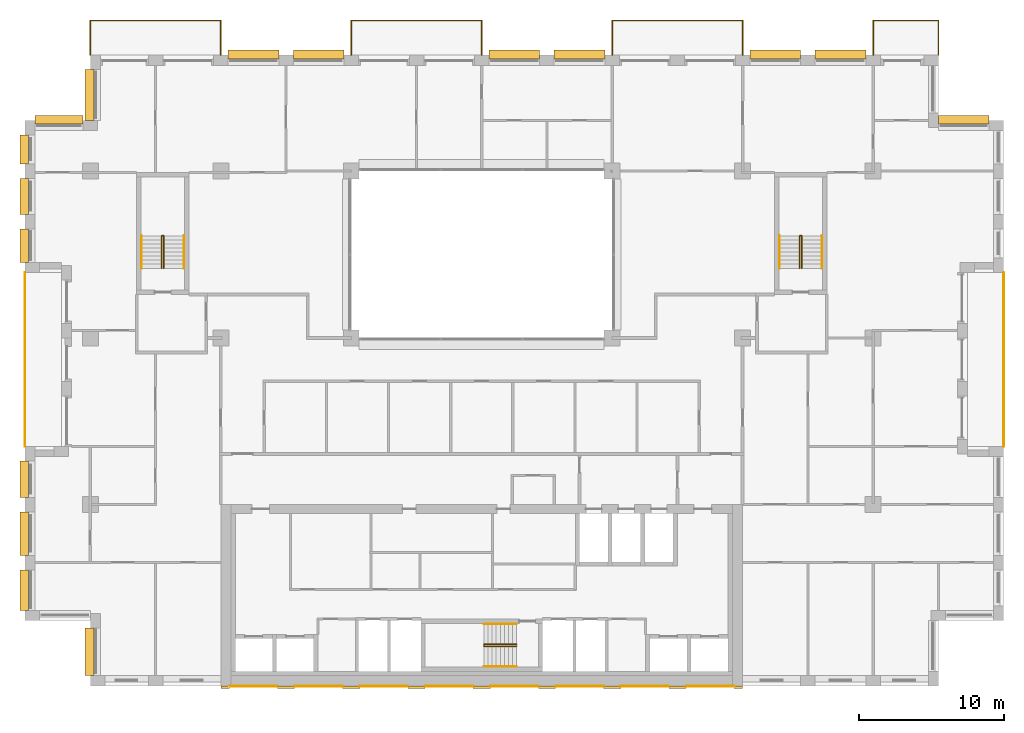
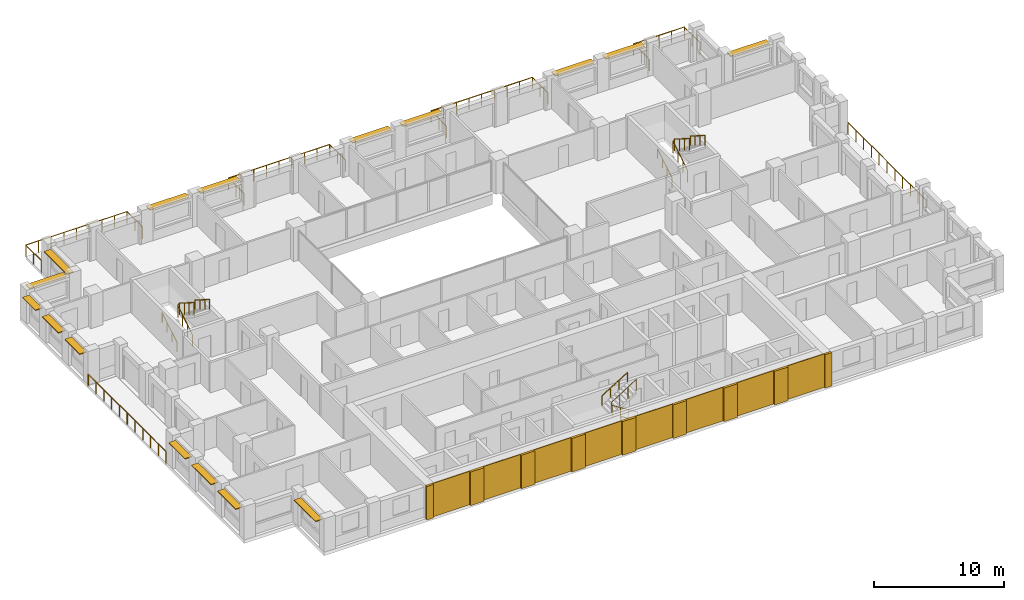
# One storey, part 15 of 15: 17 coverings, 16 shading devices, 15 railings.
"""IFC4 building model written with IfcOpenShell, lengths in metres."""

from ifc_helpers import new_model, si_unit, direction, frame, origin, origin_2d, place, context, subcontext, project, spatial, rectangle, circle, extrude, material, layer, layer_set, type_object, element, save


model = new_model("IFC4")

# Units and contexts
model_context = context("Model", 3, precision=1e-05, world=origin(), true_north=direction((0.0, 1.0)))
body_context = subcontext(model_context, "Body", "Model", "MODEL_VIEW")
ifc_project = project(units=[si_unit("LENGTHUNIT", "METRE"), si_unit("AREAUNIT", "SQUARE_METRE"), si_unit("VOLUMEUNIT", "CUBIC_METRE"), si_unit("PLANEANGLEUNIT", "RADIAN"), si_unit("MASSUNIT", "GRAM", prefix="KILO")], contexts=[model_context])

# Site, building, storey
site_placement = place(None, origin())
site = spatial("IfcSite", under=ifc_project, at=site_placement, CompositionType="ELEMENT")
building_placement = place(site_placement, origin())
building = spatial("IfcBuilding", under=site, at=building_placement, Name="Brigalow Station Residences", CompositionType="ELEMENT")
storey_placement = place(building_placement, frame((0.0, 0.0, 172.800048828125)))
storey = spatial("IfcBuildingStorey", under=building, at=storey_placement, Name="L50", CompositionType="ELEMENT", Elevation=172.800048828125)

# Railings
ifc_material_1 = material(Name="Stainless steel balustrade with laminated glass infill", Category="steel")
railing_type_1 = type_object("IfcRailingType", Name="BALCONY GUARD 1100", PredefinedType="GUARDRAIL", material=ifc_material_1)
railing_1_placement = place(storey_placement, frame((72.0, 16.5, -0.0400390625)))
element("IfcRailing", 1, at=railing_1_placement, inside=storey, type_object=railing_type_1, Name="L50/balcony-guard/1", PredefinedType="GUARDRAIL", context=body_context, shape_type="SweptSolid", body=[
    extrude(circle(Radius=0.02392578125, at=origin_2d()), frame((0.0, 0.0, 1.076171875), z_axis=(0.0, 1.0, 0.0), x_axis=(-1.0, 0.0, 0.0)), (0.0, 0.0, 1.0), 12.0),
    extrude(circle(Radius=0.02099609375, at=origin_2d()), origin(), (0.0, 0.0, 1.0), 1.052001953125),
    extrude(circle(Radius=0.02099609375, at=origin_2d()), frame((0.0, 1.199951171875, 0.0)), (0.0, 0.0, 1.0), 1.052001953125),
    extrude(circle(Radius=0.02099609375, at=origin_2d()), frame((0.0, 2.39990234375, 0.0)), (0.0, 0.0, 1.0), 1.052001953125),
    extrude(circle(Radius=0.02099609375, at=origin_2d()), frame((0.0, 3.60009765625, 0.0)), (0.0, 0.0, 1.0), 1.052001953125),
    extrude(circle(Radius=0.02099609375, at=origin_2d()), frame((0.0, 4.800048828125, 0.0)), (0.0, 0.0, 1.0), 1.052001953125),
    extrude(circle(Radius=0.02099609375, at=origin_2d()), frame((0.0, 6.0, 0.0)), (0.0, 0.0, 1.0), 1.052001953125),
    extrude(circle(Radius=0.02099609375, at=origin_2d()), frame((0.0, 7.199951171875, 0.0)), (0.0, 0.0, 1.0), 1.052001953125),
    extrude(circle(Radius=0.02099609375, at=origin_2d()), frame((0.0, 8.39990234375, 0.0)), (0.0, 0.0, 1.0), 1.052001953125),
    extrude(circle(Radius=0.02099609375, at=origin_2d()), frame((0.0, 9.60009765625, 0.0)), (0.0, 0.0, 1.0), 1.052001953125),
    extrude(circle(Radius=0.02099609375, at=origin_2d()), frame((0.0, 10.800048828125, 0.0)), (0.0, 0.0, 1.0), 1.052001953125),
    extrude(circle(Radius=0.02099609375, at=origin_2d()), frame((0.0, 12.0, 0.0)), (0.0, 0.0, 1.0), 1.052001953125),
])
railing_2_placement = place(storey_placement, frame((67.5, 43.5, -0.0400390625)))
element("IfcRailing", 2, at=railing_2_placement, inside=storey, type_object=railing_type_1, Name="L50/balcony-guard/2", PredefinedType="GUARDRAIL", context=body_context, shape_type="SweptSolid", body=[
    extrude(circle(Radius=0.02392578125, at=origin_2d()), frame((0.0, 0.0, 1.076171875), z_axis=(0.0, 1.0, 0.0), x_axis=(-1.0, 0.0, 0.0)), (0.0, 0.0, 1.0), 2.39990234375),
    extrude(circle(Radius=0.02392578125, at=origin_2d()), frame((0.0, 2.39990234375, 1.076171875), z_axis=(-1.0, 0.0, 0.0), x_axis=(0.0, -1.0, 0.0)), (0.0, 0.0, 1.0), 4.5),
    extrude(circle(Radius=0.02392578125, at=origin_2d()), frame((-4.5, 2.39990234375, 1.076171875), z_axis=(0.0, -1.0, 0.0), x_axis=(1.0, 0.0, 0.0)), (0.0, 0.0, 1.0), 2.39990234375),
    extrude(circle(Radius=0.02099609375, at=origin_2d()), origin(), (0.0, 0.0, 1.0), 1.052001953125),
    extrude(circle(Radius=0.02099609375, at=origin_2d()), frame((0.0, 1.199951171875, 0.0)), (0.0, 0.0, 1.0), 1.052001953125),
    extrude(circle(Radius=0.02099609375, at=origin_2d()), frame((0.0, 2.39990234375, 0.0)), (0.0, 0.0, 1.0), 1.052001953125),
    extrude(circle(Radius=0.02099609375, at=origin_2d()), frame((-1.125, 2.39990234375, 0.0)), (0.0, 0.0, 1.0), 1.052001953125),
    extrude(circle(Radius=0.02099609375, at=origin_2d()), frame((-2.25, 2.39990234375, 0.0)), (0.0, 0.0, 1.0), 1.052001953125),
    extrude(circle(Radius=0.02099609375, at=origin_2d()), frame((-3.375, 2.39990234375, 0.0)), (0.0, 0.0, 1.0), 1.052001953125),
    extrude(circle(Radius=0.02099609375, at=origin_2d()), frame((-4.5, 2.39990234375, 0.0)), (0.0, 0.0, 1.0), 1.052001953125),
    extrude(circle(Radius=0.02099609375, at=origin_2d()), frame((-4.5, 1.199951171875, 0.0)), (0.0, 0.0, 1.0), 1.052001953125),
    extrude(circle(Radius=0.02099609375, at=origin_2d()), frame((-4.5, 0.0, 0.0)), (0.0, 0.0, 1.0), 1.052001953125),
])
railing_3_placement = place(storey_placement, frame((54.0, 43.5, -0.0400390625)))
element("IfcRailing", 3, at=railing_3_placement, inside=storey, type_object=railing_type_1, Name="L50/balcony-guard/3", PredefinedType="GUARDRAIL", context=body_context, shape_type="SweptSolid", body=[
    extrude(circle(Radius=0.02392578125, at=origin_2d()), frame((0.0, 0.0, 1.076171875), z_axis=(0.0, 1.0, 0.0), x_axis=(-1.0, 0.0, 0.0)), (0.0, 0.0, 1.0), 2.39990234375),
    extrude(circle(Radius=0.02392578125, at=origin_2d()), frame((0.0, 2.39990234375, 1.076171875), z_axis=(-1.0, 0.0, 0.0), x_axis=(0.0, -1.0, 0.0)), (0.0, 0.0, 1.0), 9.0),
    extrude(circle(Radius=0.02392578125, at=origin_2d()), frame((-9.0, 2.39990234375, 1.076171875), z_axis=(0.0, -1.0, 0.0), x_axis=(1.0, 0.0, 0.0)), (0.0, 0.0, 1.0), 2.39990234375),
    extrude(circle(Radius=0.02099609375, at=origin_2d()), origin(), (0.0, 0.0, 1.0), 1.052001953125),
    extrude(circle(Radius=0.02099609375, at=origin_2d()), frame((0.0, 1.199951171875, 0.0)), (0.0, 0.0, 1.0), 1.052001953125),
    extrude(circle(Radius=0.02099609375, at=origin_2d()), frame((0.0, 2.39990234375, 0.0)), (0.0, 0.0, 1.0), 1.052001953125),
    extrude(circle(Radius=0.02099609375, at=origin_2d()), frame((-1.125, 2.39990234375, 0.0)), (0.0, 0.0, 1.0), 1.052001953125),
    extrude(circle(Radius=0.02099609375, at=origin_2d()), frame((-2.25, 2.39990234375, 0.0)), (0.0, 0.0, 1.0), 1.052001953125),
    extrude(circle(Radius=0.02099609375, at=origin_2d()), frame((-3.375, 2.39990234375, 0.0)), (0.0, 0.0, 1.0), 1.052001953125),
    extrude(circle(Radius=0.02099609375, at=origin_2d()), frame((-4.5, 2.39990234375, 0.0)), (0.0, 0.0, 1.0), 1.052001953125),
    extrude(circle(Radius=0.02099609375, at=origin_2d()), frame((-5.625, 2.39990234375, 0.0)), (0.0, 0.0, 1.0), 1.052001953125),
    extrude(circle(Radius=0.02099609375, at=origin_2d()), frame((-6.75, 2.39990234375, 0.0)), (0.0, 0.0, 1.0), 1.052001953125),
    extrude(circle(Radius=0.02099609375, at=origin_2d()), frame((-7.875, 2.39990234375, 0.0)), (0.0, 0.0, 1.0), 1.052001953125),
    extrude(circle(Radius=0.02099609375, at=origin_2d()), frame((-9.0, 2.39990234375, 0.0)), (0.0, 0.0, 1.0), 1.052001953125),
    extrude(circle(Radius=0.02099609375, at=origin_2d()), frame((-9.0, 1.199951171875, 0.0)), (0.0, 0.0, 1.0), 1.052001953125),
    extrude(circle(Radius=0.02099609375, at=origin_2d()), frame((-9.0, 0.0, 0.0)), (0.0, 0.0, 1.0), 1.052001953125),
])
railing_4_placement = place(storey_placement, frame((36.0, 43.5, -0.0400390625)))
element("IfcRailing", 4, at=railing_4_placement, inside=storey, type_object=railing_type_1, Name="L50/balcony-guard/4", PredefinedType="GUARDRAIL", context=body_context, shape_type="SweptSolid", body=[
    extrude(circle(Radius=0.02392578125, at=origin_2d()), frame((0.0, 0.0, 1.076171875), z_axis=(0.0, 1.0, 0.0), x_axis=(-1.0, 0.0, 0.0)), (0.0, 0.0, 1.0), 2.39990234375),
    extrude(circle(Radius=0.02392578125, at=origin_2d()), frame((0.0, 2.39990234375, 1.076171875), z_axis=(-1.0, 0.0, 0.0), x_axis=(0.0, -1.0, 0.0)), (0.0, 0.0, 1.0), 9.0),
    extrude(circle(Radius=0.02392578125, at=origin_2d()), frame((-9.0, 2.39990234375, 1.076171875), z_axis=(0.0, -1.0, 0.0), x_axis=(1.0, 0.0, 0.0)), (0.0, 0.0, 1.0), 2.39990234375),
    extrude(circle(Radius=0.02099609375, at=origin_2d()), origin(), (0.0, 0.0, 1.0), 1.052001953125),
    extrude(circle(Radius=0.02099609375, at=origin_2d()), frame((0.0, 1.199951171875, 0.0)), (0.0, 0.0, 1.0), 1.052001953125),
    extrude(circle(Radius=0.02099609375, at=origin_2d()), frame((0.0, 2.39990234375, 0.0)), (0.0, 0.0, 1.0), 1.052001953125),
    extrude(circle(Radius=0.02099609375, at=origin_2d()), frame((-1.125, 2.39990234375, 0.0)), (0.0, 0.0, 1.0), 1.052001953125),
    extrude(circle(Radius=0.02099609375, at=origin_2d()), frame((-2.25, 2.39990234375, 0.0)), (0.0, 0.0, 1.0), 1.052001953125),
    extrude(circle(Radius=0.02099609375, at=origin_2d()), frame((-3.375, 2.39990234375, 0.0)), (0.0, 0.0, 1.0), 1.052001953125),
    extrude(circle(Radius=0.02099609375, at=origin_2d()), frame((-4.5, 2.39990234375, 0.0)), (0.0, 0.0, 1.0), 1.052001953125),
    extrude(circle(Radius=0.02099609375, at=origin_2d()), frame((-5.625, 2.39990234375, 0.0)), (0.0, 0.0, 1.0), 1.052001953125),
    extrude(circle(Radius=0.02099609375, at=origin_2d()), frame((-6.75, 2.39990234375, 0.0)), (0.0, 0.0, 1.0), 1.052001953125),
    extrude(circle(Radius=0.02099609375, at=origin_2d()), frame((-7.875, 2.39990234375, 0.0)), (0.0, 0.0, 1.0), 1.052001953125),
    extrude(circle(Radius=0.02099609375, at=origin_2d()), frame((-9.0, 2.39990234375, 0.0)), (0.0, 0.0, 1.0), 1.052001953125),
    extrude(circle(Radius=0.02099609375, at=origin_2d()), frame((-9.0, 1.199951171875, 0.0)), (0.0, 0.0, 1.0), 1.052001953125),
    extrude(circle(Radius=0.02099609375, at=origin_2d()), frame((-9.0, 0.0, 0.0)), (0.0, 0.0, 1.0), 1.052001953125),
])
railing_5_placement = place(storey_placement, frame((18.0, 43.5, -0.0400390625)))
element("IfcRailing", 5, at=railing_5_placement, inside=storey, type_object=railing_type_1, Name="L50/balcony-guard/5", PredefinedType="GUARDRAIL", context=body_context, shape_type="SweptSolid", body=[
    extrude(circle(Radius=0.02392578125, at=origin_2d()), frame((0.0, 0.0, 1.076171875), z_axis=(0.0, 1.0, 0.0), x_axis=(-1.0, 0.0, 0.0)), (0.0, 0.0, 1.0), 2.39990234375),
    extrude(circle(Radius=0.02392578125, at=origin_2d()), frame((0.0, 2.39990234375, 1.076171875), z_axis=(-1.0, 0.0, 0.0), x_axis=(0.0, -1.0, 0.0)), (0.0, 0.0, 1.0), 9.0),
    extrude(circle(Radius=0.02392578125, at=origin_2d()), frame((-9.0, 2.39990234375, 1.076171875), z_axis=(0.0, -1.0, 0.0), x_axis=(1.0, 0.0, 0.0)), (0.0, 0.0, 1.0), 2.39990234375),
    extrude(circle(Radius=0.02099609375, at=origin_2d()), origin(), (0.0, 0.0, 1.0), 1.052001953125),
    extrude(circle(Radius=0.02099609375, at=origin_2d()), frame((0.0, 1.199951171875, 0.0)), (0.0, 0.0, 1.0), 1.052001953125),
    extrude(circle(Radius=0.02099609375, at=origin_2d()), frame((0.0, 2.39990234375, 0.0)), (0.0, 0.0, 1.0), 1.052001953125),
    extrude(circle(Radius=0.02099609375, at=origin_2d()), frame((-1.125, 2.39990234375, 0.0)), (0.0, 0.0, 1.0), 1.052001953125),
    extrude(circle(Radius=0.02099609375, at=origin_2d()), frame((-2.25, 2.39990234375, 0.0)), (0.0, 0.0, 1.0), 1.052001953125),
    extrude(circle(Radius=0.02099609375, at=origin_2d()), frame((-3.375, 2.39990234375, 0.0)), (0.0, 0.0, 1.0), 1.052001953125),
    extrude(circle(Radius=0.02099609375, at=origin_2d()), frame((-4.5, 2.39990234375, 0.0)), (0.0, 0.0, 1.0), 1.052001953125),
    extrude(circle(Radius=0.02099609375, at=origin_2d()), frame((-5.625, 2.39990234375, 0.0)), (0.0, 0.0, 1.0), 1.052001953125),
    extrude(circle(Radius=0.02099609375, at=origin_2d()), frame((-6.75, 2.39990234375, 0.0)), (0.0, 0.0, 1.0), 1.052001953125),
    extrude(circle(Radius=0.02099609375, at=origin_2d()), frame((-7.875, 2.39990234375, 0.0)), (0.0, 0.0, 1.0), 1.052001953125),
    extrude(circle(Radius=0.02099609375, at=origin_2d()), frame((-9.0, 2.39990234375, 0.0)), (0.0, 0.0, 1.0), 1.052001953125),
    extrude(circle(Radius=0.02099609375, at=origin_2d()), frame((-9.0, 1.199951171875, 0.0)), (0.0, 0.0, 1.0), 1.052001953125),
    extrude(circle(Radius=0.02099609375, at=origin_2d()), frame((-9.0, 0.0, 0.0)), (0.0, 0.0, 1.0), 1.052001953125),
])
railing_6_placement = place(storey_placement, frame((4.5, 28.5, -0.0400390625)))
element("IfcRailing", 6, at=railing_6_placement, inside=storey, type_object=railing_type_1, Name="L50/balcony-guard/6", PredefinedType="GUARDRAIL", context=body_context, shape_type="SweptSolid", body=[
    extrude(circle(Radius=0.02392578125, at=origin_2d()), frame((0.0, 0.0, 1.076171875), z_axis=(0.0, -1.0, 0.0), x_axis=(1.0, 0.0, 0.0)), (0.0, 0.0, 1.0), 12.0),
    extrude(circle(Radius=0.02099609375, at=origin_2d()), origin(), (0.0, 0.0, 1.0), 1.052001953125),
    extrude(circle(Radius=0.02099609375, at=origin_2d()), frame((0.0, -1.199951171875, 0.0)), (0.0, 0.0, 1.0), 1.052001953125),
    extrude(circle(Radius=0.02099609375, at=origin_2d()), frame((0.0, -2.39990234375, 0.0)), (0.0, 0.0, 1.0), 1.052001953125),
    extrude(circle(Radius=0.02099609375, at=origin_2d()), frame((0.0, -3.60009765625, 0.0)), (0.0, 0.0, 1.0), 1.052001953125),
    extrude(circle(Radius=0.02099609375, at=origin_2d()), frame((0.0, -4.800048828125, 0.0)), (0.0, 0.0, 1.0), 1.052001953125),
    extrude(circle(Radius=0.02099609375, at=origin_2d()), frame((0.0, -6.0, 0.0)), (0.0, 0.0, 1.0), 1.052001953125),
    extrude(circle(Radius=0.02099609375, at=origin_2d()), frame((0.0, -7.199951171875, 0.0)), (0.0, 0.0, 1.0), 1.052001953125),
    extrude(circle(Radius=0.02099609375, at=origin_2d()), frame((0.0, -8.39990234375, 0.0)), (0.0, 0.0, 1.0), 1.052001953125),
    extrude(circle(Radius=0.02099609375, at=origin_2d()), frame((0.0, -9.60009765625, 0.0)), (0.0, 0.0, 1.0), 1.052001953125),
    extrude(circle(Radius=0.02099609375, at=origin_2d()), frame((0.0, -10.800048828125, 0.0)), (0.0, 0.0, 1.0), 1.052001953125),
    extrude(circle(Radius=0.02099609375, at=origin_2d()), frame((0.0, -12.0, 0.0)), (0.0, 0.0, 1.0), 1.052001953125),
])

# Coverings
ifc_material_2 = material(Name="Clay brick masonry", Category="masonry")
ifc_layer_1 = layer(ifc_material_2, 0.06005859375)
ifc_layer_set_1 = layer_set([ifc_layer_1], Name="BRICK PANEL FACING 60")
covering_type_1 = type_object("IfcCoveringType", Name="BRICK PANEL FACING 60", PredefinedType="CLADDING", material=ifc_layer_set_1)
for number, where, z_axis, x_axis, name in (
    (7, (20.25, -0.030029296875, 0.0), (0.0, 0.0, 1.0), (1.0, 0.0, 0.0), "L50/rear-facing/panel-1"),
    (8, (24.75, -0.030029296875, 0.0), (0.0, 0.0, 1.0), (1.0, 0.0, 0.0), "L50/rear-facing/panel-2"),
    (9, (29.25, -0.030029296875, 0.0), (0.0, 0.0, 1.0), (1.0, 0.0, 0.0), "L50/rear-facing/panel-3"),
    (10, (33.75, -0.030029296875, 0.0), (0.0, 0.0, 1.0), (1.0, 0.0, 0.0), "L50/rear-facing/panel-4"),
    (11, (38.25, -0.030029296875, 0.0), (0.0, 0.0, 1.0), (1.0, 0.0, 0.0), "L50/rear-facing/panel-5"),
    (12, (42.75, -0.030029296875, 0.0), (0.0, 0.0, 1.0), (1.0, 0.0, 0.0), "L50/rear-facing/panel-6"),
    (13, (47.25, -0.030029296875, 0.0), (0.0, 0.0, 1.0), (1.0, 0.0, 0.0), "L50/rear-facing/panel-7"),
    (14, (51.75, -0.030029296875, 0.0), (0.0, 0.0, 1.0), (1.0, 0.0, 0.0), "L50/rear-facing/panel-8"),
):
    element("IfcCovering", number, at=place(storey_placement, frame(where, z_axis=z_axis, x_axis=x_axis)), inside=storey, type_object=covering_type_1, Name=name, PredefinedType="CLADDING", context=body_context, shape_type="SweptSolid", body=[
        extrude(rectangle(XDim=3.300048828125, YDim=0.06005859375, at=origin_2d()), origin(), (0.0, 0.0, 1.0), 3.14990234375),
    ])
ifc_material_3 = material(Name="Clay brick masonry", Category="masonry")
ifc_layer_2 = layer(ifc_material_3, 0.199951171875)
ifc_layer_set_2 = layer_set([ifc_layer_2], Name="BRICK PIER FACING 200")
covering_type_2 = type_object("IfcCoveringType", Name="BRICK PIER FACING 200", PredefinedType="CLADDING", material=ifc_layer_set_2)
covering_1_placement = place(storey_placement, frame((18.300048828125, -0.10009765625, 0.0), z_axis=(0.0, 0.0, 1.0), x_axis=(1.0, 0.0, 0.0)))
element("IfcCovering", 15, at=covering_1_placement, inside=storey, type_object=covering_type_2, Name="L50/rear-facing/pier-1", PredefinedType="CLADDING", context=body_context, shape_type="SweptSolid", body=[
    extrude(rectangle(XDim=0.60009765625, YDim=0.199951171875, at=origin_2d()), origin(), (0.0, 0.0, 1.0), 3.14990234375),
])
for number, where, z_axis, x_axis, name in (
    (16, (22.5, -0.10009765625, 0.0), (0.0, 0.0, 1.0), (1.0, 0.0, 0.0), "L50/rear-facing/pier-2"),
    (17, (27.0, -0.10009765625, 0.0), (0.0, 0.0, 1.0), (1.0, 0.0, 0.0), "L50/rear-facing/pier-3"),
    (18, (31.5, -0.10009765625, 0.0), (0.0, 0.0, 1.0), (1.0, 0.0, 0.0), "L50/rear-facing/pier-4"),
    (19, (36.0, -0.10009765625, 0.0), (0.0, 0.0, 1.0), (1.0, 0.0, 0.0), "L50/rear-facing/pier-5"),
    (20, (40.5, -0.10009765625, 0.0), (0.0, 0.0, 1.0), (1.0, 0.0, 0.0), "L50/rear-facing/pier-6"),
    (21, (45.0, -0.10009765625, 0.0), (0.0, 0.0, 1.0), (1.0, 0.0, 0.0), "L50/rear-facing/pier-7"),
    (22, (49.5, -0.10009765625, 0.0), (0.0, 0.0, 1.0), (1.0, 0.0, 0.0), "L50/rear-facing/pier-8"),
):
    element("IfcCovering", number, at=place(storey_placement, frame(where, z_axis=z_axis, x_axis=x_axis)), inside=storey, type_object=covering_type_2, Name=name, PredefinedType="CLADDING", context=body_context, shape_type="SweptSolid", body=[
        extrude(rectangle(XDim=1.199951171875, YDim=0.199951171875, at=origin_2d()), origin(), (0.0, 0.0, 1.0), 3.14990234375),
    ])
covering_2_placement = place(storey_placement, frame((53.699951171875, -0.10009765625, 0.0), z_axis=(0.0, 0.0, 1.0), x_axis=(1.0, 0.0, 0.0)))
element("IfcCovering", 23, at=covering_2_placement, inside=storey, type_object=covering_type_2, Name="L50/rear-facing/pier-9", PredefinedType="CLADDING", context=body_context, shape_type="SweptSolid", body=[
    extrude(rectangle(XDim=0.60009765625, YDim=0.199951171875, at=origin_2d()), origin(), (0.0, 0.0, 1.0), 3.14990234375),
])

# Railings
ifc_material_4 = material(Name="Stainless steel balustrade", Category="steel")
railing_type_2 = type_object("IfcRailingType", Name="STAIR GUARD 1100", PredefinedType="GUARDRAIL", material=ifc_material_4)
railing_7_placement = place(storey_placement, frame((38.39990234375, 2.72998046875, 0.175048828125)))
element("IfcRailing", 24, at=railing_7_placement, inside=storey, type_object=railing_type_2, Name="GUARD GR-2", PredefinedType="GUARDRAIL", context=body_context, shape_type="SweptSolid", body=[
    extrude(circle(Radius=0.02392578125, at=origin_2d()), frame((0.0, 0.0, 1.076171875), z_axis=(-0.848013881152, 0.0, 0.529974015752), x_axis=(0.0, -1.0, 0.0)), (0.0, 0.0, 1.0), 2.641357421875),
    extrude(circle(Radius=0.02392578125, at=origin_2d()), frame((-2.239990234375, 0.0, 2.47607421875), z_axis=(0.0, 0.624960567888, 0.780656319122), x_axis=(-1.0, 0.0, 0.0)), (0.0, 0.0, 1.0), 0.22412109375),
    extrude(circle(Radius=0.02392578125, at=origin_2d()), frame((-2.239990234375, 0.14013671875, 2.65087890625), z_axis=(0.848013881152, 0.0, 0.529974015752), x_axis=(0.0, 1.0, 0.0)), (0.0, 0.0, 1.0), 2.641357421875),
    extrude(circle(Radius=0.02099609375, at=origin_2d()), origin(), (0.0, 0.0, 1.0), 1.052001953125),
    extrude(circle(Radius=0.02099609375, at=origin_2d()), frame((-0.74658203125, 0.0, 0.466552734375)), (0.0, 0.0, 1.0), 1.052001953125),
    extrude(circle(Radius=0.02099609375, at=origin_2d()), frame((-1.493408203125, 0.0, 0.933349609375)), (0.0, 0.0, 1.0), 1.052001953125),
    extrude(circle(Radius=0.02099609375, at=origin_2d()), frame((-2.239990234375, 0.0, 1.39990234375)), (0.0, 0.0, 1.0), 1.052001953125),
    extrude(circle(Radius=0.02099609375, at=origin_2d()), frame((-2.239990234375, 0.14013671875, 1.574951171875)), (0.0, 0.0, 1.0), 1.052001953125),
    extrude(circle(Radius=0.02099609375, at=origin_2d()), frame((-1.493408203125, 0.14013671875, 2.04150390625)), (0.0, 0.0, 1.0), 1.052001953125),
    extrude(circle(Radius=0.02099609375, at=origin_2d()), frame((-0.74658203125, 0.14013671875, 2.50830078125)), (0.0, 0.0, 1.0), 1.052001953125),
    extrude(circle(Radius=0.02099609375, at=origin_2d()), frame((0.0, 0.14013671875, 2.974853515625)), (0.0, 0.0, 1.0), 1.052001953125),
])
for number, where, name in (
    (25, (13.929931640625, 28.800048828125, 0.175048828125), "GUARD GR-1"),
    (26, (57.929931640625, 28.800048828125, 0.175048828125), "GUARD GR-3"),
):
    element("IfcRailing", number, at=place(storey_placement, frame(where)), inside=storey, type_object=railing_type_2, Name=name, PredefinedType="GUARDRAIL", context=body_context, shape_type="SweptSolid", body=[
        extrude(circle(Radius=0.02392578125, at=origin_2d()), frame((0.0, 0.0, 1.076171875), z_axis=(0.0, 0.848013881152, 0.529974015752), x_axis=(-1.0, 0.0, 0.0)), (0.0, 0.0, 1.0), 2.641357421875),
        extrude(circle(Radius=0.02392578125, at=origin_2d()), frame((0.0, 2.239990234375, 2.47607421875), z_axis=(0.624960567888, 0.0, 0.780656319122), x_axis=(0.0, 1.0, 0.0)), (0.0, 0.0, 1.0), 0.22412109375),
        extrude(circle(Radius=0.02392578125, at=origin_2d()), frame((0.14013671875, 2.239990234375, 2.65087890625), z_axis=(0.0, -0.848013881152, 0.529974015752), x_axis=(1.0, 0.0, 0.0)), (0.0, 0.0, 1.0), 2.641357421875),
        extrude(circle(Radius=0.02099609375, at=origin_2d()), origin(), (0.0, 0.0, 1.0), 1.052001953125),
        extrude(circle(Radius=0.02099609375, at=origin_2d()), frame((0.0, 0.74658203125, 0.466552734375)), (0.0, 0.0, 1.0), 1.052001953125),
        extrude(circle(Radius=0.02099609375, at=origin_2d()), frame((0.0, 1.493408203125, 0.933349609375)), (0.0, 0.0, 1.0), 1.052001953125),
        extrude(circle(Radius=0.02099609375, at=origin_2d()), frame((0.0, 2.239990234375, 1.39990234375)), (0.0, 0.0, 1.0), 1.052001953125),
        extrude(circle(Radius=0.02099609375, at=origin_2d()), frame((0.14013671875, 2.239990234375, 1.574951171875)), (0.0, 0.0, 1.0), 1.052001953125),
        extrude(circle(Radius=0.02099609375, at=origin_2d()), frame((0.14013671875, 1.493408203125, 2.04150390625)), (0.0, 0.0, 1.0), 1.052001953125),
        extrude(circle(Radius=0.02099609375, at=origin_2d()), frame((0.14013671875, 0.74658203125, 2.50830078125)), (0.0, 0.0, 1.0), 1.052001953125),
        extrude(circle(Radius=0.02099609375, at=origin_2d()), frame((0.14013671875, 0.0, 2.974853515625)), (0.0, 0.0, 1.0), 1.052001953125),
    ])
ifc_material_5 = material(Name="Stainless steel handrail", Category="steel")
railing_type_3 = type_object("IfcRailingType", Name="STAIR HANDRAIL 900", PredefinedType="HANDRAIL", material=ifc_material_5)
railing_8_placement = place(storey_placement, frame((38.39990234375, 1.340087890625, 0.175048828125)))
element("IfcRailing", 27, at=railing_8_placement, inside=storey, type_object=railing_type_3, Name="HANDRAIL HR-21", PredefinedType="HANDRAIL", context=body_context, shape_type="SweptSolid", body=[
    extrude(circle(Radius=0.02392578125, at=origin_2d()), frame((0.0, 0.0, 0.8759765625), z_axis=(-0.848013881152, 0.0, 0.529974015752), x_axis=(0.0, -1.0, 0.0)), (0.0, 0.0, 1.0), 2.641357421875),
    extrude(circle(Radius=0.02099609375, at=origin_2d()), origin(), (0.0, 0.0, 1.0), 0.851806640625),
    extrude(circle(Radius=0.02099609375, at=origin_2d()), frame((-0.74658203125, 0.0, 0.466552734375)), (0.0, 0.0, 1.0), 0.851806640625),
    extrude(circle(Radius=0.02099609375, at=origin_2d()), frame((-1.493408203125, 0.0, 0.933349609375)), (0.0, 0.0, 1.0), 0.851806640625),
    extrude(circle(Radius=0.02099609375, at=origin_2d()), frame((-2.239990234375, 0.0, 1.39990234375)), (0.0, 0.0, 1.0), 0.851806640625),
])
railing_9_placement = place(storey_placement, frame((36.159912109375, 4.260009765625, 1.75)))
element("IfcRailing", 28, at=railing_9_placement, inside=storey, type_object=railing_type_3, Name="HANDRAIL HR-22", PredefinedType="HANDRAIL", context=body_context, shape_type="SweptSolid", body=[
    extrude(circle(Radius=0.02392578125, at=origin_2d()), frame((0.0, 0.0, 0.8759765625), z_axis=(0.848013881152, 0.0, 0.529974015752), x_axis=(0.0, 1.0, 0.0)), (0.0, 0.0, 1.0), 2.641357421875),
    extrude(circle(Radius=0.02099609375, at=origin_2d()), origin(), (0.0, 0.0, 1.0), 0.851806640625),
    extrude(circle(Radius=0.02099609375, at=origin_2d()), frame((0.74658203125, 0.0, 0.466552734375)), (0.0, 0.0, 1.0), 0.851806640625),
    extrude(circle(Radius=0.02099609375, at=origin_2d()), frame((1.493408203125, 0.0, 0.933349609375)), (0.0, 0.0, 1.0), 0.851806640625),
    extrude(circle(Radius=0.02099609375, at=origin_2d()), frame((2.239990234375, 0.0, 1.39990234375)), (0.0, 0.0, 1.0), 0.851806640625),
])
railing_10_placement = place(storey_placement, frame((12.5400390625, 28.800048828125, 0.175048828125)))
element("IfcRailing", 29, at=railing_10_placement, inside=storey, type_object=railing_type_3, Name="HANDRAIL HR-11", PredefinedType="HANDRAIL", context=body_context, shape_type="SweptSolid", body=[
    extrude(circle(Radius=0.02392578125, at=origin_2d()), frame((0.0, 0.0, 0.8759765625), z_axis=(0.0, 0.848013881152, 0.529974015752), x_axis=(-1.0, 0.0, 0.0)), (0.0, 0.0, 1.0), 2.641357421875),
    extrude(circle(Radius=0.02099609375, at=origin_2d()), origin(), (0.0, 0.0, 1.0), 0.851806640625),
    extrude(circle(Radius=0.02099609375, at=origin_2d()), frame((0.0, 0.74658203125, 0.466552734375)), (0.0, 0.0, 1.0), 0.851806640625),
    extrude(circle(Radius=0.02099609375, at=origin_2d()), frame((0.0, 1.493408203125, 0.933349609375)), (0.0, 0.0, 1.0), 0.851806640625),
    extrude(circle(Radius=0.02099609375, at=origin_2d()), frame((0.0, 2.239990234375, 1.39990234375)), (0.0, 0.0, 1.0), 0.851806640625),
])
railing_11_placement = place(storey_placement, frame((15.4599609375, 31.0400390625, 1.75)))
element("IfcRailing", 30, at=railing_11_placement, inside=storey, type_object=railing_type_3, Name="HANDRAIL HR-12", PredefinedType="HANDRAIL", context=body_context, shape_type="SweptSolid", body=[
    extrude(circle(Radius=0.02392578125, at=origin_2d()), frame((0.0, 0.0, 0.8759765625), z_axis=(0.0, -0.848013881152, 0.529974015752), x_axis=(1.0, 0.0, 0.0)), (0.0, 0.0, 1.0), 2.641357421875),
    extrude(circle(Radius=0.02099609375, at=origin_2d()), origin(), (0.0, 0.0, 1.0), 0.851806640625),
    extrude(circle(Radius=0.02099609375, at=origin_2d()), frame((0.0, -0.74658203125, 0.466552734375)), (0.0, 0.0, 1.0), 0.851806640625),
    extrude(circle(Radius=0.02099609375, at=origin_2d()), frame((0.0, -1.493408203125, 0.933349609375)), (0.0, 0.0, 1.0), 0.851806640625),
    extrude(circle(Radius=0.02099609375, at=origin_2d()), frame((0.0, -2.239990234375, 1.39990234375)), (0.0, 0.0, 1.0), 0.851806640625),
])
railing_12_placement = place(storey_placement, frame((56.5400390625, 28.800048828125, 0.175048828125)))
element("IfcRailing", 31, at=railing_12_placement, inside=storey, type_object=railing_type_3, Name="HANDRAIL HR-31", PredefinedType="HANDRAIL", context=body_context, shape_type="SweptSolid", body=[
    extrude(circle(Radius=0.02392578125, at=origin_2d()), frame((0.0, 0.0, 0.8759765625), z_axis=(0.0, 0.848013881152, 0.529974015752), x_axis=(-1.0, 0.0, 0.0)), (0.0, 0.0, 1.0), 2.641357421875),
    extrude(circle(Radius=0.02099609375, at=origin_2d()), origin(), (0.0, 0.0, 1.0), 0.851806640625),
    extrude(circle(Radius=0.02099609375, at=origin_2d()), frame((0.0, 0.74658203125, 0.466552734375)), (0.0, 0.0, 1.0), 0.851806640625),
    extrude(circle(Radius=0.02099609375, at=origin_2d()), frame((0.0, 1.493408203125, 0.933349609375)), (0.0, 0.0, 1.0), 0.851806640625),
    extrude(circle(Radius=0.02099609375, at=origin_2d()), frame((0.0, 2.239990234375, 1.39990234375)), (0.0, 0.0, 1.0), 0.851806640625),
])
railing_13_placement = place(storey_placement, frame((59.4599609375, 31.0400390625, 1.75)))
element("IfcRailing", 32, at=railing_13_placement, inside=storey, type_object=railing_type_3, Name="HANDRAIL HR-32", PredefinedType="HANDRAIL", context=body_context, shape_type="SweptSolid", body=[
    extrude(circle(Radius=0.02392578125, at=origin_2d()), frame((0.0, 0.0, 0.8759765625), z_axis=(0.0, -0.848013881152, 0.529974015752), x_axis=(1.0, 0.0, 0.0)), (0.0, 0.0, 1.0), 2.641357421875),
    extrude(circle(Radius=0.02099609375, at=origin_2d()), origin(), (0.0, 0.0, 1.0), 0.851806640625),
    extrude(circle(Radius=0.02099609375, at=origin_2d()), frame((0.0, -0.74658203125, 0.466552734375)), (0.0, 0.0, 1.0), 0.851806640625),
    extrude(circle(Radius=0.02099609375, at=origin_2d()), frame((0.0, -1.493408203125, 0.933349609375)), (0.0, 0.0, 1.0), 0.851806640625),
    extrude(circle(Radius=0.02099609375, at=origin_2d()), frame((0.0, -2.239990234375, 1.39990234375)), (0.0, 0.0, 1.0), 0.851806640625),
])

# Shading devices
ifc_material_6 = material(Name="Powder-coated extruded aluminium blade", Category="aluminium")
ifc_layer_3 = layer(ifc_material_6, 0.080078125)
ifc_layer_set_3 = layer_set([ifc_layer_3], Name="SUNSHADE BLADE 600x80")
shading_device_type = type_object("IfcShadingDeviceType", Name="SUNSHADE BLADE 600x80", PredefinedType="JALOUSIE", material=ifc_layer_set_3)
for number, where, z_axis, x_axis, name in (
    (33, (69.25, 39.050048828125, 2.5498046875), (0.0, 0.0, 1.0), (-1.0, 0.0, 0.0), "L50/blade/W-L50-20"),
    (34, (60.75, 43.550048828125, 2.5498046875), (0.0, 0.0, 1.0), (-1.0, 0.0, 0.0), "L50/blade/W-L50-23"),
    (35, (56.25, 43.550048828125, 2.5498046875), (0.0, 0.0, 1.0), (-1.0, 0.0, 0.0), "L50/blade/W-L50-24"),
    (36, (42.75, 43.550048828125, 2.5498046875), (0.0, 0.0, 1.0), (-1.0, 0.0, 0.0), "L50/blade/W-L50-27"),
    (37, (38.25, 43.550048828125, 2.5498046875), (0.0, 0.0, 1.0), (-1.0, 0.0, 0.0), "L50/blade/W-L50-28"),
    (38, (24.75, 43.550048828125, 2.5498046875), (0.0, 0.0, 1.0), (-1.0, 0.0, 0.0), "L50/blade/W-L50-31"),
    (39, (20.25, 43.550048828125, 2.5498046875), (0.0, 0.0, 1.0), (-1.0, 0.0, 0.0), "L50/blade/W-L50-32"),
    (40, (8.949951171875, 40.75, 2.5498046875), (0.0, 0.0, 1.0), (0.0, -1.0, 0.0), "L50/blade/W-L50-35"),
):
    element("IfcShadingDevice", number, at=place(storey_placement, frame(where, z_axis=z_axis, x_axis=x_axis)), inside=storey, type_object=shading_device_type, Name=name, PredefinedType="JALOUSIE", context=body_context, shape_type="SweptSolid", body=[
        extrude(rectangle(XDim=3.5, YDim=0.60009765625, at=origin_2d()), origin(), (0.0, 0.0, 1.0), 0.080078125),
    ])
shading_device_1_placement = place(storey_placement, frame((6.85009765625, 39.050048828125, 2.5498046875), z_axis=(0.0, 0.0, 1.0), x_axis=(-1.0, 0.0, 0.0)))
element("IfcShadingDevice", 41, at=shading_device_1_placement, inside=storey, type_object=shading_device_type, Name="L50/blade/W-L50-36", PredefinedType="JALOUSIE", context=body_context, shape_type="SweptSolid", body=[
    extrude(rectangle(XDim=3.300048828125, YDim=0.60009765625, at=origin_2d()), origin(), (0.0, 0.0, 1.0), 0.080078125),
])
shading_device_2_placement = place(storey_placement, frame((4.449951171875, 37.0, 2.5498046875), z_axis=(0.0, 0.0, 1.0), x_axis=(0.0, -1.0, 0.0)))
element("IfcShadingDevice", 42, at=shading_device_2_placement, inside=storey, type_object=shading_device_type, Name="L50/blade/W-L50-37", PredefinedType="JALOUSIE", context=body_context, shape_type="SweptSolid", body=[
    extrude(rectangle(XDim=2.0, YDim=0.60009765625, at=origin_2d()), origin(), (0.0, 0.0, 1.0), 0.080078125),
])
shading_device_3_placement = place(storey_placement, frame((4.449951171875, 33.75, 2.5498046875), z_axis=(0.0, 0.0, 1.0), x_axis=(0.0, -1.0, 0.0)))
element("IfcShadingDevice", 43, at=shading_device_3_placement, inside=storey, type_object=shading_device_type, Name="L50/blade/W-L50-38", PredefinedType="JALOUSIE", context=body_context, shape_type="SweptSolid", body=[
    extrude(rectangle(XDim=2.5, YDim=0.60009765625, at=origin_2d()), origin(), (0.0, 0.0, 1.0), 0.080078125),
])
shading_device_4_placement = place(storey_placement, frame((4.449951171875, 30.35009765625, 2.5498046875), z_axis=(0.0, 0.0, 1.0), x_axis=(0.0, -1.0, 0.0)))
element("IfcShadingDevice", 44, at=shading_device_4_placement, inside=storey, type_object=shading_device_type, Name="L50/blade/W-L50-39", PredefinedType="JALOUSIE", context=body_context, shape_type="SweptSolid", body=[
    extrude(rectangle(XDim=2.300048828125, YDim=0.60009765625, at=origin_2d()), origin(), (0.0, 0.0, 1.0), 0.080078125),
])
shading_device_5_placement = place(storey_placement, frame((4.449951171875, 14.25, 2.5498046875), z_axis=(0.0, 0.0, 1.0), x_axis=(0.0, -1.0, 0.0)))
element("IfcShadingDevice", 45, at=shading_device_5_placement, inside=storey, type_object=shading_device_type, Name="L50/blade/W-L50-45", PredefinedType="JALOUSIE", context=body_context, shape_type="SweptSolid", body=[
    extrude(rectangle(XDim=2.5, YDim=0.60009765625, at=origin_2d()), origin(), (0.0, 0.0, 1.0), 0.080078125),
])
shading_device_6_placement = place(storey_placement, frame((4.449951171875, 10.5, 2.5498046875), z_axis=(0.0, 0.0, 1.0), x_axis=(0.0, -1.0, 0.0)))
element("IfcShadingDevice", 46, at=shading_device_6_placement, inside=storey, type_object=shading_device_type, Name="L50/blade/W-L50-46", PredefinedType="JALOUSIE", context=body_context, shape_type="SweptSolid", body=[
    extrude(rectangle(XDim=3.0, YDim=0.60009765625, at=origin_2d()), origin(), (0.0, 0.0, 1.0), 0.080078125),
])
shading_device_7_placement = place(storey_placement, frame((4.449951171875, 6.60009765625, 2.5498046875), z_axis=(0.0, 0.0, 1.0), x_axis=(0.0, -1.0, 0.0)))
element("IfcShadingDevice", 47, at=shading_device_7_placement, inside=storey, type_object=shading_device_type, Name="L50/blade/W-L50-47", PredefinedType="JALOUSIE", context=body_context, shape_type="SweptSolid", body=[
    extrude(rectangle(XDim=2.800048828125, YDim=0.60009765625, at=origin_2d()), origin(), (0.0, 0.0, 1.0), 0.080078125),
])
shading_device_8_placement = place(storey_placement, frame((8.949951171875, 2.35009765625, 2.5498046875), z_axis=(0.0, 0.0, 1.0), x_axis=(0.0, -1.0, 0.0)))
element("IfcShadingDevice", 48, at=shading_device_8_placement, inside=storey, type_object=shading_device_type, Name="L50/blade/W-L50-49", PredefinedType="JALOUSIE", context=body_context, shape_type="SweptSolid", body=[
    extrude(rectangle(XDim=3.300048828125, YDim=0.60009765625, at=origin_2d()), origin(), (0.0, 0.0, 1.0), 0.080078125),
])

save(model, "model.ifc")
